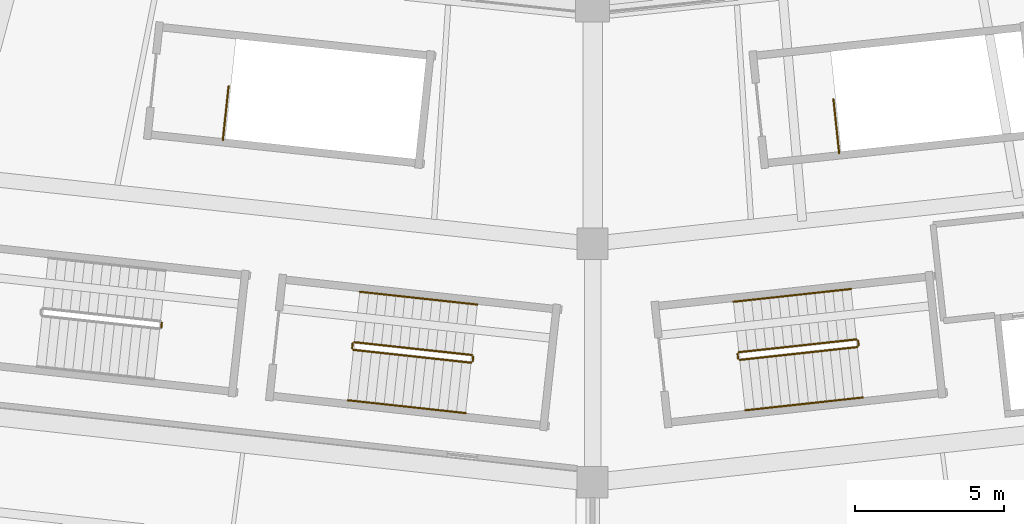
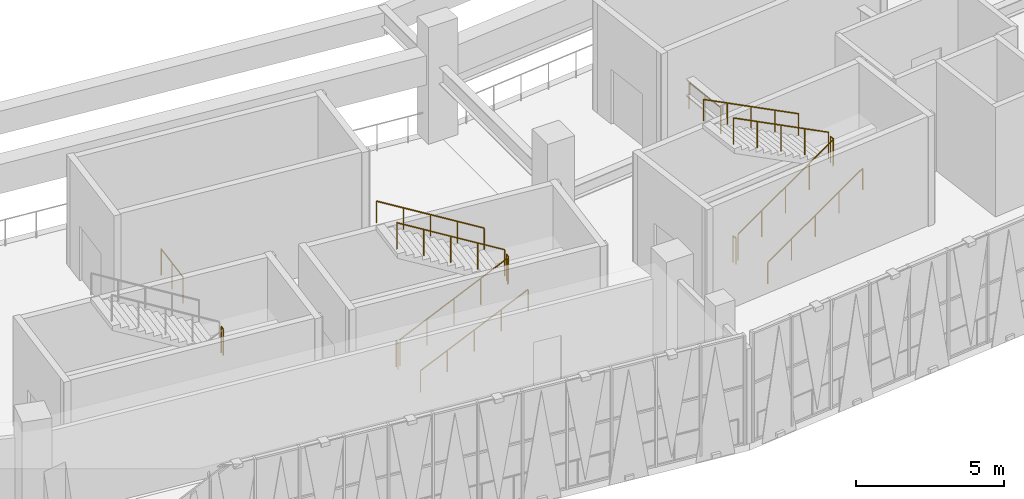
# One storey, part 134 of 179: 15 railings.
"""IFC4 building model written with IfcOpenShell, lengths in metres."""

from ifc_helpers import new_model, si_unit, direction, frame, origin, origin_2d, place, context, subcontext, project, spatial, circle, extrude, material, type_object, element, save


model = new_model("IFC4")

# Units and contexts
model_context = context("Model", 3, precision=1e-05, world=origin(), true_north=direction((0.0, 1.0)))
body_context = subcontext(model_context, "Body", "Model", "MODEL_VIEW")
ifc_project = project(units=[si_unit("LENGTHUNIT", "METRE"), si_unit("AREAUNIT", "SQUARE_METRE"), si_unit("VOLUMEUNIT", "CUBIC_METRE"), si_unit("PLANEANGLEUNIT", "RADIAN"), si_unit("MASSUNIT", "GRAM", prefix="KILO")], contexts=[model_context])

# Site, building, storey
site_placement = place(None, origin())
site = spatial("IfcSite", under=ifc_project, at=site_placement, CompositionType="ELEMENT")
building_placement = place(site_placement, origin())
building = spatial("IfcBuilding", under=site, at=building_placement, Name="Zevraka Park Crest Stadium", CompositionType="ELEMENT")
storey_placement = place(building_placement, frame((0.0, 0.0, 10.199951171875)))
storey = spatial("IfcBuildingStorey", under=building, at=storey_placement, Name="L02", CompositionType="ELEMENT", Elevation=10.199951171875)

# Railings
ifc_material_1 = material(Name="Powder-coated tubular steel stairwell guard", Category="steel")
railing_type_1 = type_object("IfcRailingType", Name="GR03", PredefinedType="GUARDRAIL", material=ifc_material_1)
railing_1_placement = place(storey_placement, frame((97.54345703125, 21.893310546875, 2.400146484375)))
element("IfcRailing", 1, at=railing_1_placement, inside=storey, type_object=railing_type_1, Name="L02 ST18 stair guard 2", PredefinedType="GUARDRAIL", context=body_context, shape_type="SweptSolid", body=[
    extrude(circle(Radius=0.02392578125, at=origin_2d()), frame((0.0, 0.0, 1.076171875), z_axis=(0.108255734054, 0.994123078921, 0.0), x_axis=(-0.994123078921, 0.108255734054, 0.0)), (0.0, 0.0, 1.0), 0.16015625),
    extrude(circle(Radius=0.02099609375, at=origin_2d()), origin(), (0.0, 0.0, 1.0), 1.052001953125),
    extrude(circle(Radius=0.02099609375, at=origin_2d()), frame((0.017333984375, 0.1591796875, 0.0)), (0.0, 0.0, 1.0), 1.052001953125),
])
railing_2_placement = place(storey_placement, frame((116.932861328125, 20.80615234375, 0.17138671875)))
element("IfcRailing", 2, at=railing_2_placement, inside=storey, type_object=railing_type_1, Name="L02 ST19 stair guard 1", PredefinedType="GUARDRAIL", context=body_context, shape_type="SweptSolid", body=[
    extrude(circle(Radius=0.02392578125, at=origin_2d()), frame((0.0, 0.0, 1.076171875), z_axis=(0.866609713434, 0.094357727996, 0.48998390152), x_axis=(-0.108241734952, 0.994124603264, 0.0)), (0.0, 0.0, 1.0), 4.548583984375),
    extrude(circle(Radius=0.02099609375, at=origin_2d()), origin(), (0.0, 0.0, 1.0), 1.052001953125),
    extrude(circle(Radius=0.02099609375, at=origin_2d()), frame((0.9853515625, 0.107421875, 0.55712890625)), (0.0, 0.0, 1.0), 1.052001953125),
    extrude(circle(Radius=0.02099609375, at=origin_2d()), frame((1.970947265625, 0.214599609375, 1.1142578125)), (0.0, 0.0, 1.0), 1.052001953125),
    extrude(circle(Radius=0.02099609375, at=origin_2d()), frame((2.95654296875, 0.32177734375, 1.671630859375)), (0.0, 0.0, 1.0), 1.052001953125),
    extrude(circle(Radius=0.02099609375, at=origin_2d()), frame((3.94189453125, 0.42919921875, 2.228759765625)), (0.0, 0.0, 1.0), 1.052001953125),
])
railing_3_placement = place(storey_placement, frame((120.9189453125, 21.29052734375, 2.400146484375)))
element("IfcRailing", 3, at=railing_3_placement, inside=storey, type_object=railing_type_1, Name="L02 ST19 stair guard 2", PredefinedType="GUARDRAIL", context=body_context, shape_type="SweptSolid", body=[
    extrude(circle(Radius=0.02392578125, at=origin_2d()), frame((0.0, 0.0, 1.076171875), z_axis=(-0.108420072245, 0.994105169454, 0.0), x_axis=(-0.994105169454, -0.108420072245, 0.0)), (0.0, 0.0, 1.0), 0.159912109375),
    extrude(circle(Radius=0.02099609375, at=origin_2d()), origin(), (0.0, 0.0, 1.0), 1.052001953125),
    extrude(circle(Radius=0.02099609375, at=origin_2d()), frame((-0.017333984375, 0.158935546875, 0.0)), (0.0, 0.0, 1.0), 1.052001953125),
])
railing_4_placement = place(storey_placement, frame((120.846435546875, 21.493896484375, 2.571533203125)))
element("IfcRailing", 4, at=railing_4_placement, inside=storey, type_object=railing_type_1, Name="L02 ST19 stair guard 3", PredefinedType="GUARDRAIL", context=body_context, shape_type="SweptSolid", body=[
    extrude(circle(Radius=0.02392578125, at=origin_2d()), frame((0.0, 0.0, 1.076171875), z_axis=(-0.866619140956, -0.094364598935, 0.489965903911), x_axis=(0.108248360745, -0.994123881816, 0.0)), (0.0, 0.0, 1.0), 4.54833984375),
    extrude(circle(Radius=0.02099609375, at=origin_2d()), origin(), (0.0, 0.0, 1.0), 1.052001953125),
    extrude(circle(Radius=0.02099609375, at=origin_2d()), frame((-0.9853515625, -0.107421875, 0.55712890625)), (0.0, 0.0, 1.0), 1.052001953125),
    extrude(circle(Radius=0.02099609375, at=origin_2d()), frame((-1.970703125, -0.214599609375, 1.1142578125)), (0.0, 0.0, 1.0), 1.052001953125),
    extrude(circle(Radius=0.02099609375, at=origin_2d()), frame((-2.956298828125, -0.32177734375, 1.67138671875)), (0.0, 0.0, 1.0), 1.052001953125),
    extrude(circle(Radius=0.02099609375, at=origin_2d()), frame((-3.941650390625, -0.42919921875, 2.228515625)), (0.0, 0.0, 1.0), 1.052001953125),
])
railing_5_placement = place(storey_placement, frame((116.8779296875, 20.8505859375, 0.0)))
element("IfcRailing", 5, at=railing_5_placement, inside=storey, type_object=railing_type_1, Name="L02 ST19 stair guard 4", PredefinedType="GUARDRAIL", context=body_context, shape_type="SweptSolid", body=[
    extrude(circle(Radius=0.02392578125, at=origin_2d()), frame((0.0, 0.0, 1.076171875), z_axis=(-0.108420072245, 0.994105169454, 0.0), x_axis=(-0.994105169454, -0.108420072245, 0.0)), (0.0, 0.0, 1.0), 0.159912109375),
    extrude(circle(Radius=0.02099609375, at=origin_2d()), origin(), (0.0, 0.0, 1.0), 1.052001953125),
    extrude(circle(Radius=0.02099609375, at=origin_2d()), frame((-0.017333984375, 0.158935546875, 0.0)), (0.0, 0.0, 1.0), 1.052001953125),
])
railing_6_placement = place(storey_placement, frame((103.984619140625, 21.14208984375, 0.17138671875)))
element("IfcRailing", 6, at=railing_6_placement, inside=storey, type_object=railing_type_1, Name="L02 ST30 stair guard 1", PredefinedType="GUARDRAIL", context=body_context, shape_type="SweptSolid", body=[
    extrude(circle(Radius=0.02392578125, at=origin_2d()), frame((0.0, 0.0, 1.076171875), z_axis=(0.866614101159, -0.094304532128, 0.489986382354), x_axis=(0.108180884773, 0.994131226836, 0.0)), (0.0, 0.0, 1.0), 4.548583984375),
    extrude(circle(Radius=0.02099609375, at=origin_2d()), origin(), (0.0, 0.0, 1.0), 1.052001953125),
    extrude(circle(Radius=0.02099609375, at=origin_2d()), frame((0.9853515625, -0.107177734375, 0.55712890625)), (0.0, 0.0, 1.0), 1.052001953125),
    extrude(circle(Radius=0.02099609375, at=origin_2d()), frame((1.970947265625, -0.21435546875, 1.1142578125)), (0.0, 0.0, 1.0), 1.052001953125),
    extrude(circle(Radius=0.02099609375, at=origin_2d()), frame((2.95654296875, -0.32177734375, 1.671630859375)), (0.0, 0.0, 1.0), 1.052001953125),
    extrude(circle(Radius=0.02099609375, at=origin_2d()), frame((3.94189453125, -0.428955078125, 2.228759765625)), (0.0, 0.0, 1.0), 1.052001953125),
])
railing_7_placement = place(storey_placement, frame((107.9814453125, 20.75732421875, 2.400146484375)))
element("IfcRailing", 7, at=railing_7_placement, inside=storey, type_object=railing_type_1, Name="L02 ST30 stair guard 2", PredefinedType="GUARDRAIL", context=body_context, shape_type="SweptSolid", body=[
    extrude(circle(Radius=0.02392578125, at=origin_2d()), frame((0.0, 0.0, 1.076171875), z_axis=(0.108255734054, 0.994123078921, 0.0), x_axis=(-0.994123078921, 0.108255734054, 0.0)), (0.0, 0.0, 1.0), 0.16015625),
    extrude(circle(Radius=0.02099609375, at=origin_2d()), origin(), (0.0, 0.0, 1.0), 1.052001953125),
    extrude(circle(Radius=0.02099609375, at=origin_2d()), frame((0.017333984375, 0.1591796875, 0.0)), (0.0, 0.0, 1.0), 1.052001953125),
])
railing_8_placement = place(storey_placement, frame((107.95458984375, 20.9716796875, 2.571533203125)))
element("IfcRailing", 8, at=railing_8_placement, inside=storey, type_object=railing_type_1, Name="L02 ST30 stair guard 3", PredefinedType="GUARDRAIL", context=body_context, shape_type="SweptSolid", body=[
    extrude(circle(Radius=0.02392578125, at=origin_2d()), frame((0.0, 0.0, 1.076171875), z_axis=(-0.866623529368, 0.094311399263, 0.489968385015), x_axis=(-0.10818750693, -0.994130506193, 0.0)), (0.0, 0.0, 1.0), 4.54833984375),
    extrude(circle(Radius=0.02099609375, at=origin_2d()), origin(), (0.0, 0.0, 1.0), 1.052001953125),
    extrude(circle(Radius=0.02099609375, at=origin_2d()), frame((-0.9853515625, 0.107177734375, 0.55712890625)), (0.0, 0.0, 1.0), 1.052001953125),
    extrude(circle(Radius=0.02099609375, at=origin_2d()), frame((-1.970703125, 0.21435546875, 1.1142578125)), (0.0, 0.0, 1.0), 1.052001953125),
    extrude(circle(Radius=0.02099609375, at=origin_2d()), frame((-2.956298828125, 0.32177734375, 1.67138671875)), (0.0, 0.0, 1.0), 1.052001953125),
    extrude(circle(Radius=0.02099609375, at=origin_2d()), frame((-3.941650390625, 0.428955078125, 2.228515625)), (0.0, 0.0, 1.0), 1.052001953125),
])
railing_9_placement = place(storey_placement, frame((103.9404296875, 21.197265625, 0.0)))
element("IfcRailing", 9, at=railing_9_placement, inside=storey, type_object=railing_type_1, Name="L02 ST30 stair guard 4", PredefinedType="GUARDRAIL", context=body_context, shape_type="SweptSolid", body=[
    extrude(circle(Radius=0.02392578125, at=origin_2d()), frame((0.0, 0.0, 1.076171875), z_axis=(0.108255734054, 0.994123078921, 0.0), x_axis=(-0.994123078921, 0.108255734054, 0.0)), (0.0, 0.0, 1.0), 0.16015625),
    extrude(circle(Radius=0.02099609375, at=origin_2d()), origin(), (0.0, 0.0, 1.0), 1.052001953125),
    extrude(circle(Radius=0.02099609375, at=origin_2d()), frame((0.017333984375, 0.1591796875, 0.0)), (0.0, 0.0, 1.0), 1.052001953125),
])
railing_10_placement = place(storey_placement, frame((99.607421875, 28.178955078125, 0.0)))
element("IfcRailing", 10, at=railing_10_placement, inside=storey, type_object=railing_type_1, Name="L02 ST41 top well guard 1", PredefinedType="GUARDRAIL", context=body_context, shape_type="SweptSolid", body=[
    extrude(circle(Radius=0.02392578125, at=origin_2d()), frame((0.0, 0.0, 1.076171875), z_axis=(0.105885376891, 0.994378341961, 0.0), x_axis=(-0.994378341961, 0.105885376891, 0.0)), (0.0, 0.0, 1.0), 1.81005859375),
    extrude(circle(Radius=0.02099609375, at=origin_2d()), origin(), (0.0, 0.0, 1.0), 1.052001953125),
    extrude(circle(Radius=0.02099609375, at=origin_2d()), frame((0.095703125, 0.89990234375, 0.0)), (0.0, 0.0, 1.0), 1.052001953125),
    extrude(circle(Radius=0.02099609375, at=origin_2d()), frame((0.191650390625, 1.7998046875, 0.0)), (0.0, 0.0, 1.0), 1.052001953125),
])
railing_11_placement = place(storey_placement, frame((120.265625, 27.739990234375, 0.0)))
element("IfcRailing", 11, at=railing_11_placement, inside=storey, type_object=railing_type_1, Name="L02 ST42 top well guard 1", PredefinedType="GUARDRAIL", context=body_context, shape_type="SweptSolid", body=[
    extrude(circle(Radius=0.02392578125, at=origin_2d()), frame((0.0, 0.0, 1.076171875), z_axis=(-0.105885376891, 0.994378341961, 0.0), x_axis=(-0.994378341961, -0.105885376891, 0.0)), (0.0, 0.0, 1.0), 1.81005859375),
    extrude(circle(Radius=0.02099609375, at=origin_2d()), origin(), (0.0, 0.0, 1.0), 1.052001953125),
    extrude(circle(Radius=0.02099609375, at=origin_2d()), frame((-0.095703125, 0.89990234375, 0.0)), (0.0, 0.0, 1.0), 1.052001953125),
    extrude(circle(Radius=0.02099609375, at=origin_2d()), frame((-0.191650390625, 1.7998046875, 0.0)), (0.0, 0.0, 1.0), 1.052001953125),
])
ifc_material_2 = material(Name="Brushed stainless steel continuous handrail", Category="steel")
railing_type_2 = type_object("IfcRailingType", Name="HR01", PredefinedType="HANDRAIL", material=ifc_material_2)
railing_12_placement = place(storey_placement, frame((117.116943359375, 19.1162109375, 0.17138671875)))
element("IfcRailing", 12, at=railing_12_placement, inside=storey, type_object=railing_type_2, Name="L02 ST19 stair handrail 1", PredefinedType="HANDRAIL", context=body_context, shape_type="SweptSolid", body=[
    extrude(circle(Radius=0.02392578125, at=origin_2d()), frame((0.0, 0.0, 0.8759765625), z_axis=(0.866596348506, 0.094362117106, 0.490006693435), x_axis=(-0.108248360745, 0.994123881816, 0.0)), (0.0, 0.0, 1.0), 4.54833984375),
    extrude(circle(Radius=0.02099609375, at=origin_2d()), origin(), (0.0, 0.0, 1.0), 0.851806640625),
    extrude(circle(Radius=0.02099609375, at=origin_2d()), frame((0.9853515625, 0.107421875, 0.55712890625)), (0.0, 0.0, 1.0), 0.851806640625),
    extrude(circle(Radius=0.02099609375, at=origin_2d()), frame((1.970703125, 0.214599609375, 1.1142578125)), (0.0, 0.0, 1.0), 0.851806640625),
    extrude(circle(Radius=0.02099609375, at=origin_2d()), frame((2.956298828125, 0.32177734375, 1.671630859375)), (0.0, 0.0, 1.0), 0.851806640625),
    extrude(circle(Radius=0.02099609375, at=origin_2d()), frame((3.941650390625, 0.42919921875, 2.228759765625)), (0.0, 0.0, 1.0), 0.851806640625),
])
railing_13_placement = place(storey_placement, frame((120.66259765625, 23.183837890625, 2.571533203125)))
element("IfcRailing", 13, at=railing_13_placement, inside=storey, type_object=railing_type_2, Name="L02 ST19 stair handrail 2", PredefinedType="HANDRAIL", context=body_context, shape_type="SweptSolid", body=[
    extrude(circle(Radius=0.02392578125, at=origin_2d()), frame((0.0, 0.0, 0.8759765625), z_axis=(-0.866619140956, -0.094364598935, 0.489965903911), x_axis=(0.108248360745, -0.994123881816, 0.0)), (0.0, 0.0, 1.0), 4.54833984375),
    extrude(circle(Radius=0.02099609375, at=origin_2d()), origin(), (0.0, 0.0, 1.0), 0.851806640625),
    extrude(circle(Radius=0.02099609375, at=origin_2d()), frame((-0.9853515625, -0.107421875, 0.55712890625)), (0.0, 0.0, 1.0), 0.851806640625),
    extrude(circle(Radius=0.02099609375, at=origin_2d()), frame((-1.970703125, -0.214599609375, 1.1142578125)), (0.0, 0.0, 1.0), 0.851806640625),
    extrude(circle(Radius=0.02099609375, at=origin_2d()), frame((-2.956298828125, -0.32177734375, 1.67138671875)), (0.0, 0.0, 1.0), 0.851806640625),
    extrude(circle(Radius=0.02099609375, at=origin_2d()), frame((-3.941650390625, -0.42919921875, 2.228515625)), (0.0, 0.0, 1.0), 0.851806640625),
])
railing_14_placement = place(storey_placement, frame((103.80078125, 19.4521484375, 0.17138671875)))
element("IfcRailing", 14, at=railing_14_placement, inside=storey, type_object=railing_type_2, Name="L02 ST30 stair handrail 1", PredefinedType="HANDRAIL", context=body_context, shape_type="SweptSolid", body=[
    extrude(circle(Radius=0.02392578125, at=origin_2d()), frame((0.0, 0.0, 0.8759765625), z_axis=(0.866600736571, -0.094308918808, 0.490009174615), x_axis=(0.10818750693, 0.994130506193, 0.0)), (0.0, 0.0, 1.0), 4.54833984375),
    extrude(circle(Radius=0.02099609375, at=origin_2d()), origin(), (0.0, 0.0, 1.0), 0.851806640625),
    extrude(circle(Radius=0.02099609375, at=origin_2d()), frame((0.9853515625, -0.107177734375, 0.55712890625)), (0.0, 0.0, 1.0), 0.851806640625),
    extrude(circle(Radius=0.02099609375, at=origin_2d()), frame((1.970703125, -0.21435546875, 1.1142578125)), (0.0, 0.0, 1.0), 0.851806640625),
    extrude(circle(Radius=0.02099609375, at=origin_2d()), frame((2.956298828125, -0.32177734375, 1.671630859375)), (0.0, 0.0, 1.0), 0.851806640625),
    extrude(circle(Radius=0.02099609375, at=origin_2d()), frame((3.941650390625, -0.428955078125, 2.228759765625)), (0.0, 0.0, 1.0), 0.851806640625),
])
railing_15_placement = place(storey_placement, frame((108.138427734375, 22.66162109375, 2.571533203125)))
element("IfcRailing", 15, at=railing_15_placement, inside=storey, type_object=railing_type_2, Name="L02 ST30 stair handrail 2", PredefinedType="HANDRAIL", context=body_context, shape_type="SweptSolid", body=[
    extrude(circle(Radius=0.02392578125, at=origin_2d()), frame((0.0, 0.0, 0.8759765625), z_axis=(-0.866623529368, 0.094311399263, 0.489968385015), x_axis=(-0.10818750693, -0.994130506193, 0.0)), (0.0, 0.0, 1.0), 4.54833984375),
    extrude(circle(Radius=0.02099609375, at=origin_2d()), origin(), (0.0, 0.0, 1.0), 0.851806640625),
    extrude(circle(Radius=0.02099609375, at=origin_2d()), frame((-0.9853515625, 0.107177734375, 0.55712890625)), (0.0, 0.0, 1.0), 0.851806640625),
    extrude(circle(Radius=0.02099609375, at=origin_2d()), frame((-1.970703125, 0.21435546875, 1.1142578125)), (0.0, 0.0, 1.0), 0.851806640625),
    extrude(circle(Radius=0.02099609375, at=origin_2d()), frame((-2.956298828125, 0.32177734375, 1.67138671875)), (0.0, 0.0, 1.0), 0.851806640625),
    extrude(circle(Radius=0.02099609375, at=origin_2d()), frame((-3.941650390625, 0.428955078125, 2.228515625)), (0.0, 0.0, 1.0), 0.851806640625),
])

save(model, "model.ifc")
